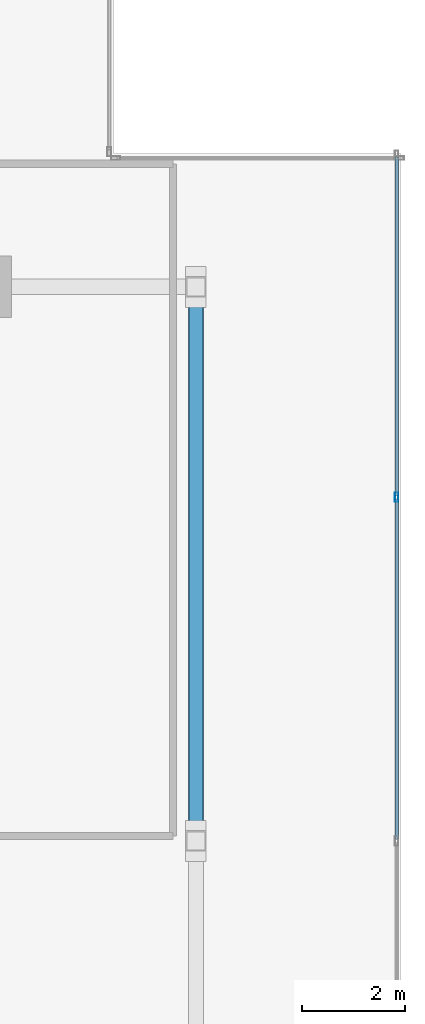
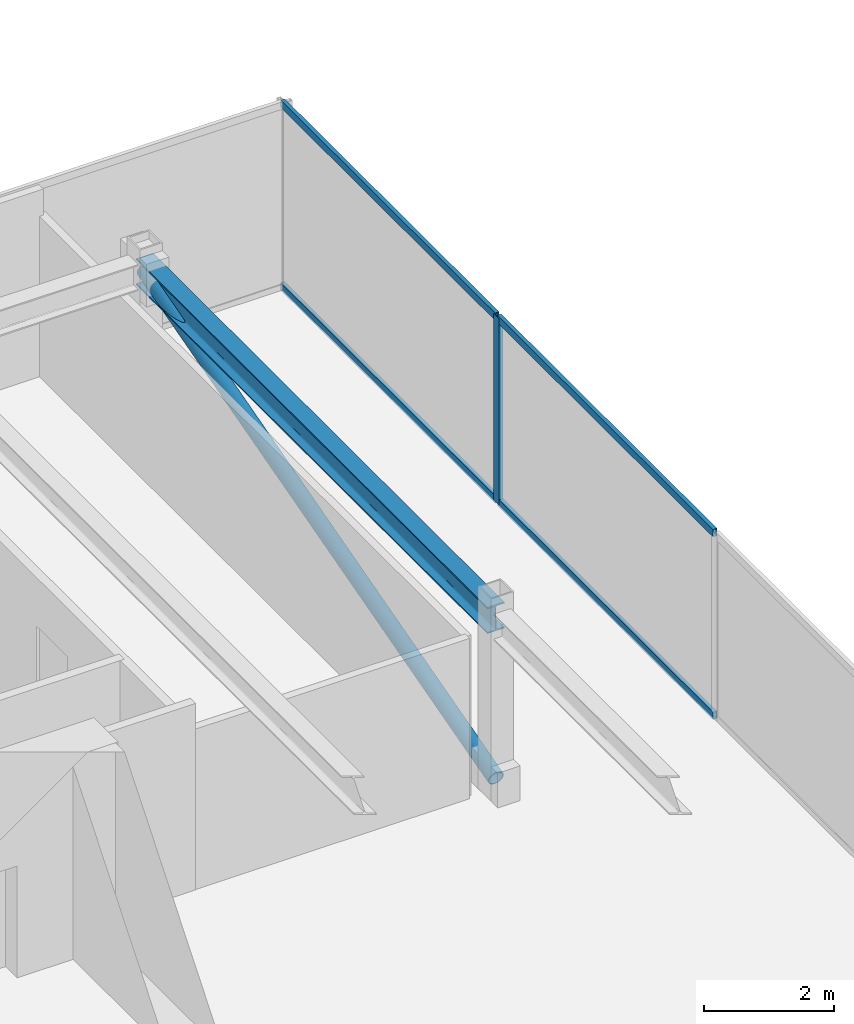
# One storey, part 18 of 25: 6 members, 1 beam, 1 element without a shape of its own.
"""IFC4 building model written with IfcOpenShell, lengths in metres."""

from ifc_helpers import new_model, si_unit, direction, frame, origin, origin_2d, place, context, subcontext, project, spatial, hollow_rectangle, hollow_circle, i_section, extrude, source, transform, mapped, material, material_profile, profile_set, type_object, type_shapes, element, aggregate, save


model = new_model("IFC4")

# Units and contexts
model_context = context("Model", 3, precision=1e-05, world=origin(), true_north=direction((0.0, 1.0)))
body_context = subcontext(model_context, "Body", "Model", "MODEL_VIEW")
ifc_project = project(units=[si_unit("LENGTHUNIT", "METRE"), si_unit("AREAUNIT", "SQUARE_METRE"), si_unit("VOLUMEUNIT", "CUBIC_METRE"), si_unit("PLANEANGLEUNIT", "RADIAN"), si_unit("MASSUNIT", "GRAM", prefix="KILO")], contexts=[model_context])

# Site, building, storey
site_placement = place(None, origin())
site = spatial("IfcSite", under=ifc_project, at=site_placement, CompositionType="ELEMENT")
building_placement = place(site_placement, origin())
building = spatial("IfcBuilding", under=site, at=building_placement, Name="Krantzveldt Concourse Tower", CompositionType="ELEMENT")
storey_placement = place(building_placement, frame((0.0, 0.0, 367.050048828125)))
storey = spatial("IfcBuildingStorey", under=building, at=storey_placement, Name="L90", CompositionType="ELEMENT", Elevation=367.050048828125)

# Beam
ifc_material_1 = material(Name="Steel S355JR", Category="steel")
ifc_material_profile_1 = material_profile(ifc_material_1, i_section(OverallWidth=0.300048828125, OverallDepth=0.489990234375, WebThickness=0.011962890625, FlangeThickness=0.02294921875, FilletRadius=0.027099609375, at=origin_2d()), Name="Steel S355JR", Category="steel")
ifc_profile_set_1 = profile_set([ifc_material_profile_1], Name="Steel S355JR - HEA 500")
beam_type = type_object("IfcBeamType", Name="BM-B-HEA500", PredefinedType="BEAM", material=ifc_profile_set_1)
shared_shape_1 = source(origin(), body_context, "Body", "SweptSolid", [
    extrude(i_section(OverallWidth=0.300048828125, OverallDepth=0.489990234375, WebThickness=0.011962890625, FlangeThickness=0.02294921875, FilletRadius=0.027099609375, at=origin_2d()), origin(), (0.0, 0.0, 1.0), 10.800048828125),
])
type_shapes(beam_type, [shared_shape_1])
beam_placement = place(storey_placement, frame((51.0, 26.699951171875, 3.2548828125), z_axis=(0.0, 1.0, 0.0), x_axis=(-1.0, 0.0, 0.0)))
element("IfcBeam", 1, at=beam_placement, inside=storey, type_object=beam_type, Name="L90 Crown Girder EAST-2", PredefinedType="BEAM", context=body_context, shape_type="MappedRepresentation", body=[
    mapped(shared_shape_1, transform((0.0, 0.0, 0.0), x_axis=(1.0, 0.0, 0.0), y_axis=(0.0, 1.0, 0.0), z_axis=(0.0, 0.0, 1.0), scale=1.0)),
])

# Member
ifc_material_2 = material(Name="Steel S355J2", Category="steel")
ifc_material_profile_2 = material_profile(ifc_material_2, hollow_circle(Radius=0.136474609375, WallThickness=0.01611328125, at=origin_2d()), Name="Steel S355J2", Category="steel")
ifc_profile_set_2 = profile_set([ifc_material_profile_2], Name="Steel S355J2 - CHS 273x16")
member_type_1 = type_object("IfcMemberType", Name="MB-CB-CHS273", PredefinedType="BRACE", material=ifc_profile_set_2)
shared_shape_2 = source(origin(), body_context, "Body", "SweptSolid", [
    extrude(hollow_circle(Radius=0.136474609375, WallThickness=0.01611328125, at=origin_2d()), origin(), (0.0, 0.0, 1.0), 11.208984375),
])
type_shapes(member_type_1, [shared_shape_2])
member_1_placement = place(storey_placement, frame((51.0, 26.699951171875, 0.25), z_axis=(0.0, 0.963518221675, 0.26764274042), x_axis=(-1.0, 0.0, 0.0)))
element("IfcMember", 2, at=member_1_placement, inside=storey, type_object=member_type_1, Name="Brace Diagonal CBR-L90-EAST", PredefinedType="BRACE", context=body_context, shape_type="MappedRepresentation", body=[
    mapped(shared_shape_2, transform((0.0, 0.0, 0.0), x_axis=(1.0, 0.0, 0.0), y_axis=(0.0, 1.0, 0.0), z_axis=(0.0, 0.0, 1.0), scale=1.0)),
])

# Curtain wall, members
ifc_material_3 = material(Name="Anodised aluminium 6063-T6", Category="aluminium")
curtain_wall_type = type_object("IfcCurtainWallType", Name="CW7", PredefinedType="USERDEFINED", material=ifc_material_3)
curtain_wall_placement = place(storey_placement, origin())
curtain_wall = element("IfcCurtainWall", 3, at=curtain_wall_placement, inside=storey, type_object=curtain_wall_type, Name="CW-L90-EAST-03", ObjectType="UNITISED CURTAIN WALL", PredefinedType="USERDEFINED")
ifc_material_profile_3 = material_profile(ifc_material_3, hollow_rectangle(XDim=0.070068359375, YDim=0.139892578125, WallThickness=0.0048828125, at=origin_2d()), Name="Anodised aluminium 6063-T6", Category="aluminium")
ifc_profile_set_3 = profile_set([ifc_material_profile_3], Name="Anodised aluminium 6063-T6 - ALU-TRAN 140x70x5")
member_type_2 = type_object("IfcMemberType", Name="CW-TRN-150", PredefinedType="USERDEFINED", material=ifc_profile_set_3)
shared_shape_3 = source(origin(), body_context, "Body", "SweptSolid", [
    extrude(hollow_rectangle(XDim=0.070068359375, YDim=0.139892578125, WallThickness=0.0048828125, at=origin_2d()), origin(), (0.0, 0.0, 1.0), 6.594970703125),
])
member_2_placement = place(storey_placement, frame((54.909912109375, 33.43505859375, 0.034912109375), z_axis=(0.0, 1.0, 0.0), x_axis=(-1.0, 0.0, 0.0)))
member_2 = element("IfcMember", 4, at=member_2_placement, type_object=member_type_2, Name="CW-CRN transom 4.1", ObjectType="TRANSOM", PredefinedType="USERDEFINED", context=body_context, shape_type="MappedRepresentation", body=[
    mapped(shared_shape_3, transform((0.0, 0.0, 0.0), x_axis=(1.0, 0.0, 0.0), y_axis=(0.0, 1.0, 0.0), z_axis=(0.0, 0.0, 1.0), scale=1.0)),
])
member_3_placement = place(storey_placement, frame((54.909912109375, 33.43505859375, 3.46484375), z_axis=(0.0, 1.0, 0.0), x_axis=(-1.0, 0.0, 0.0)))
member_3 = element("IfcMember", 5, at=member_3_placement, type_object=member_type_2, Name="CW-CRN transom 4.2", ObjectType="TRANSOM", PredefinedType="USERDEFINED", context=body_context, shape_type="MappedRepresentation", body=[
    mapped(shared_shape_3, transform((0.0, 0.0, 0.0), x_axis=(1.0, 0.0, 0.0), y_axis=(0.0, 1.0, 0.0), z_axis=(0.0, 0.0, 1.0), scale=1.0)),
])
shared_shape_4 = source(origin(), body_context, "Body", "SweptSolid", [
    extrude(hollow_rectangle(XDim=0.070068359375, YDim=0.139892578125, WallThickness=0.0048828125, at=origin_2d()), origin(), (0.0, 0.0, 1.0), 6.6298828125),
])
type_shapes(member_type_2, [shared_shape_3, shared_shape_4])
member_4_placement = place(storey_placement, frame((54.909912109375, 26.735107421875, 0.034912109375), z_axis=(0.0, 1.0, 0.0), x_axis=(-1.0, 0.0, 0.0)))
member_4 = element("IfcMember", 6, at=member_4_placement, type_object=member_type_2, Name="CW-CRN transom 3.1", ObjectType="TRANSOM", PredefinedType="USERDEFINED", context=body_context, shape_type="MappedRepresentation", body=[
    mapped(shared_shape_4, transform((0.0, 0.0, 0.0), x_axis=(1.0, 0.0, 0.0), y_axis=(0.0, 1.0, 0.0), z_axis=(0.0, 0.0, 1.0), scale=1.0)),
])
member_5_placement = place(storey_placement, frame((54.909912109375, 26.735107421875, 3.46484375), z_axis=(0.0, 1.0, 0.0), x_axis=(-1.0, 0.0, 0.0)))
member_5 = element("IfcMember", 7, at=member_5_placement, type_object=member_type_2, Name="CW-CRN transom 3.2", ObjectType="TRANSOM", PredefinedType="USERDEFINED", context=body_context, shape_type="MappedRepresentation", body=[
    mapped(shared_shape_4, transform((0.0, 0.0, 0.0), x_axis=(1.0, 0.0, 0.0), y_axis=(0.0, 1.0, 0.0), z_axis=(0.0, 0.0, 1.0), scale=1.0)),
])
ifc_material_profile_4 = material_profile(ifc_material_3, hollow_rectangle(XDim=0.070068359375, YDim=0.179931640625, WallThickness=0.0048828125, at=origin_2d()), Name="Anodised aluminium 6063-T6", Category="aluminium")
ifc_profile_set_4 = profile_set([ifc_material_profile_4], Name="Anodised aluminium 6063-T6 - ALU-MULL 180x70x5")
member_type_3 = type_object("IfcMemberType", Name="CW-MUL-180", PredefinedType="MULLION", material=ifc_profile_set_4)
shared_shape_5 = source(origin(), body_context, "Body", "SweptSolid", [
    extrude(hollow_rectangle(XDim=0.070068359375, YDim=0.179931640625, WallThickness=0.0048828125, at=origin_2d()), origin(), (0.0, 0.0, 1.0), 3.5),
])
type_shapes(member_type_3, [shared_shape_5])
member_6_placement = place(storey_placement, frame((54.909912109375, 33.39990234375, 0.0), z_axis=(0.0, 0.0, 1.0), x_axis=(-1.0, 0.0, 0.0)))
member_6 = element("IfcMember", 8, at=member_6_placement, type_object=member_type_3, Name="CW-CRN mullion 4", PredefinedType="MULLION", context=body_context, shape_type="MappedRepresentation", body=[
    mapped(shared_shape_5, transform((0.0, 0.0, 0.0), x_axis=(1.0, 0.0, 0.0), y_axis=(0.0, 1.0, 0.0), z_axis=(0.0, 0.0, 1.0), scale=1.0)),
])
aggregate(curtain_wall, [member_6, member_4, member_5, member_2, member_3])

save(model, "model.ifc")
